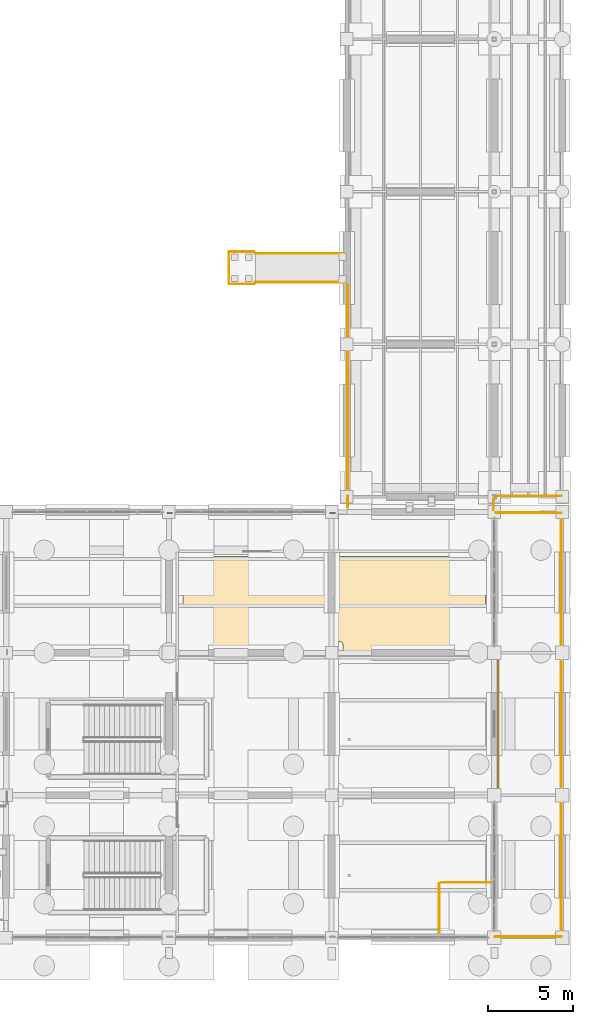
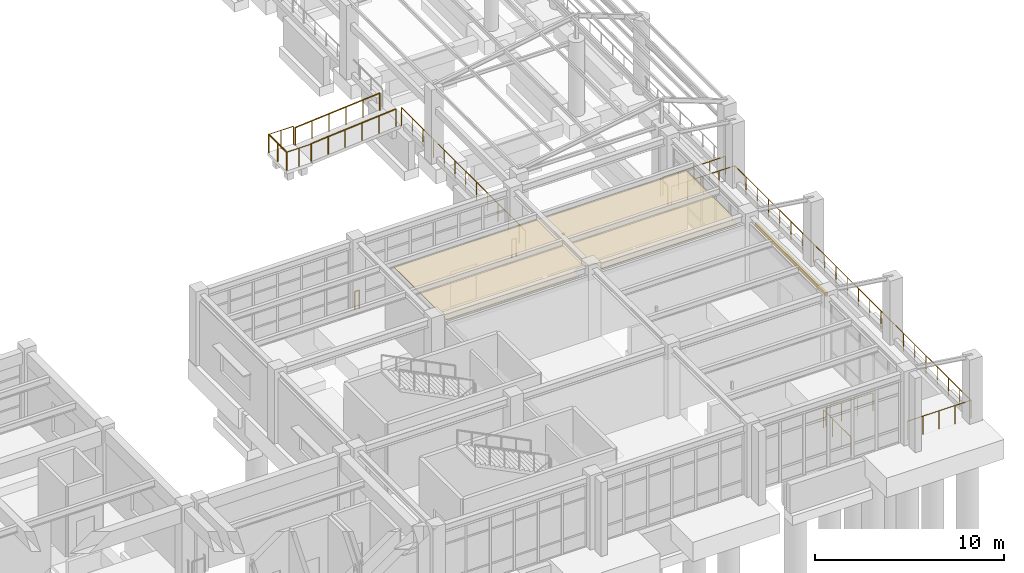
# One storey, part 108 of 111: 16 railings, 2 coverings.
"""IFC4 building model written with IfcOpenShell, lengths in metres."""

from ifc_helpers import new_model, si_unit, direction, frame, origin, origin_2d, place, context, subcontext, project, spatial, polyline, rectangle, circle, outline, extrude, material, layer, layer_set, type_object, element, save


model = new_model("IFC4")

# Units and contexts
model_context = context("Model", 3, precision=1e-05, world=origin(), true_north=direction((0.0, 1.0)))
body_context = subcontext(model_context, "Body", "Model", "MODEL_VIEW")
ifc_project = project(units=[si_unit("LENGTHUNIT", "METRE"), si_unit("AREAUNIT", "SQUARE_METRE"), si_unit("VOLUMEUNIT", "CUBIC_METRE"), si_unit("PLANEANGLEUNIT", "RADIAN"), si_unit("MASSUNIT", "GRAM", prefix="KILO")], contexts=[model_context])

# Site, building, storey
site_placement = place(None, origin())
site = spatial("IfcSite", under=ifc_project, at=site_placement, CompositionType="ELEMENT")
building_placement = place(site_placement, origin())
building = spatial("IfcBuilding", under=site, at=building_placement, Name="Canglan Escarpment Cableway Terminal", CompositionType="ELEMENT")
storey_placement = place(building_placement, frame((0.0, 0.0, 4.800048828125)))
storey = spatial("IfcBuildingStorey", under=building, at=storey_placement, Name="L01", CompositionType="ELEMENT", Elevation=4.800048828125)

# Coverings
ifc_material_1 = material(Name="Micro-perforated acoustic aluminium ceiling", Category="aluminium")
ifc_layer_1 = layer(ifc_material_1, 0.0400390625, Name="Micro-perforated acoustic aluminium ceiling")
ifc_layer_set_1 = layer_set([ifc_layer_1], Name="Micro-perforated acoustic aluminium ceiling")
covering_type_1 = type_object("IfcCoveringType", Name="COV-CEIL-ACOUSTIC-40", PredefinedType="CEILING", material=ifc_layer_set_1)
covering_1_placement = place(storey_placement, frame((0.0, 0.0, 3.971923828125)))
element("IfcCovering", 1, at=covering_1_placement, inside=storey, type_object=covering_type_1, Name="Ceremonial Greeting Hall suspended acoustic ceiling", PredefinedType="CEILING", context=body_context, shape_type="SweptSolid", body=[
    extrude(outline(polyline([(157.6201171875, 30.4599609375), (157.6201171875, 30.4619140625), (157.620361328125, 30.4638671875), (157.620849609375, 30.4658203125), (157.62158203125, 30.4677734375), (157.622314453125, 30.469482421875), (157.623291015625, 30.47119140625), (157.62451171875, 30.47265625), (157.6259765625, 30.47412109375), (157.627197265625, 30.4755859375), (157.62890625, 30.4765625), (157.630615234375, 30.4775390625), (157.63232421875, 30.478515625), (157.63427734375, 30.47900390625), (157.635986328125, 30.4794921875), (157.637939453125, 30.47998046875), (157.639892578125, 30.47998046875), (175.4599609375, 30.47998046875), (175.4619140625, 30.47998046875), (175.4638671875, 30.4794921875), (175.4658203125, 30.47900390625), (175.4677734375, 30.478515625), (175.469482421875, 30.4775390625), (175.47119140625, 30.4765625), (175.47265625, 30.4755859375), (175.47412109375, 30.47412109375), (175.4755859375, 30.47265625), (175.4765625, 30.47119140625), (175.4775390625, 30.469482421875), (175.478515625, 30.4677734375), (175.47900390625, 30.4658203125), (175.4794921875, 30.4638671875), (175.47998046875, 30.4619140625), (175.47998046875, 30.4599609375), (175.47998046875, 25.486083984375), (175.47998046875, 25.484130859375), (175.4794921875, 25.482177734375), (175.479248046875, 25.48046875), (175.478515625, 25.478515625), (175.477783203125, 25.476806640625), (175.476806640625, 25.475341796875), (175.475830078125, 25.4736328125), (175.474609375, 25.472412109375), (175.47314453125, 25.470947265625), (175.4716796875, 25.4697265625), (175.47021484375, 25.46875), (175.468505859375, 25.468017578125), (175.466796875, 25.46728515625), (175.456298828125, 25.46337890625), (175.455322265625, 25.462890625), (175.436767578125, 25.4541015625), (175.435791015625, 25.453857421875), (175.418212890625, 25.443115234375), (175.41748046875, 25.442626953125), (175.40087890625, 25.430419921875), (175.400146484375, 25.4296875), (175.384765625, 25.416015625), (175.384033203125, 25.415283203125), (175.370361328125, 25.39990234375), (175.36962890625, 25.399169921875), (175.357421875, 25.382568359375), (175.356689453125, 25.3818359375), (175.34619140625, 25.364013671875), (175.345703125, 25.36328125), (175.3369140625, 25.344482421875), (175.336669921875, 25.34375), (175.32958984375, 25.32421875), (175.329345703125, 25.323486328125), (175.32421875, 25.303466796875), (175.32421875, 25.302490234375), (175.321044921875, 25.281982421875), (175.321044921875, 25.281005859375), (175.320068359375, 25.26025390625), (175.320068359375, 25.259765625), (175.320068359375, 24.840087890625), (175.31982421875, 24.837890625), (175.319580078125, 24.836181640625), (175.319091796875, 24.834228515625), (175.318603515625, 24.832275390625), (175.317626953125, 24.83056640625), (175.316650390625, 24.828857421875), (175.3154296875, 24.827392578125), (175.314208984375, 24.825927734375), (175.312744140625, 24.824462890625), (175.31103515625, 24.823486328125), (175.309326171875, 24.822509765625), (175.3076171875, 24.821533203125), (175.305908203125, 24.82080078125), (175.303955078125, 24.8203125), (175.302001953125, 24.820068359375), (175.300048828125, 24.820068359375), (167.10009765625, 24.820068359375), (167.097900390625, 24.820068359375), (167.09619140625, 24.8203125), (167.09423828125, 24.82080078125), (167.09228515625, 24.821533203125), (167.090576171875, 24.822509765625), (167.0888671875, 24.823486328125), (167.08740234375, 24.824462890625), (167.0859375, 24.825927734375), (167.08447265625, 24.827392578125), (167.08349609375, 24.828857421875), (167.08251953125, 24.83056640625), (167.08154296875, 24.832275390625), (167.080810546875, 24.834228515625), (167.080322265625, 24.836181640625), (167.080078125, 24.837890625), (167.080078125, 24.840087890625), (167.080078125, 25.259765625), (167.080078125, 25.26025390625), (167.0791015625, 25.281005859375), (167.078857421875, 25.281982421875), (167.07568359375, 25.302490234375), (167.07568359375, 25.303466796875), (167.070556640625, 25.323486328125), (167.0703125, 25.32421875), (167.0634765625, 25.34375), (167.06298828125, 25.344482421875), (167.05419921875, 25.36328125), (167.0537109375, 25.364013671875), (167.043212890625, 25.3818359375), (167.04248046875, 25.382568359375), (167.030517578125, 25.399169921875), (167.02978515625, 25.39990234375), (167.015869140625, 25.415283203125), (167.01513671875, 25.416015625), (167.0, 25.4296875), (166.999267578125, 25.430419921875), (166.982666015625, 25.442626953125), (166.981689453125, 25.443115234375), (166.964111328125, 25.453857421875), (166.96337890625, 25.4541015625), (166.944580078125, 25.462890625), (166.943603515625, 25.46337890625), (166.92431640625, 25.470458984375), (166.92333984375, 25.470703125), (166.9033203125, 25.4755859375), (166.90234375, 25.475830078125), (166.882080078125, 25.47900390625), (166.881103515625, 25.47900390625), (166.860107421875, 25.47998046875), (166.85986328125, 25.47998046875), (165.940185546875, 25.47998046875), (165.939697265625, 25.47998046875), (165.9189453125, 25.47900390625), (165.91796875, 25.47900390625), (165.897705078125, 25.475830078125), (165.896484375, 25.4755859375), (165.876708984375, 25.470703125), (165.875732421875, 25.470458984375), (165.856201171875, 25.46337890625), (165.85546875, 25.462890625), (165.836669921875, 25.4541015625), (165.8359375, 25.453857421875), (165.818115234375, 25.443115234375), (165.8173828125, 25.442626953125), (165.80078125, 25.430419921875), (165.800048828125, 25.4296875), (165.784912109375, 25.416015625), (165.7841796875, 25.415283203125), (165.770263671875, 25.39990234375), (165.76953125, 25.399169921875), (165.75732421875, 25.382568359375), (165.7568359375, 25.3818359375), (165.74609375, 25.364013671875), (165.745849609375, 25.36328125), (165.737060546875, 25.344482421875), (165.736572265625, 25.34375), (165.7294921875, 25.32421875), (165.7294921875, 25.323486328125), (165.724365234375, 25.303466796875), (165.72412109375, 25.302490234375), (165.72119140625, 25.281982421875), (165.720947265625, 25.281005859375), (165.719970703125, 25.26025390625), (165.719970703125, 25.259765625), (165.719970703125, 24.840087890625), (165.719970703125, 24.837890625), (165.719482421875, 24.836181640625), (165.718994140625, 24.834228515625), (165.718505859375, 24.832275390625), (165.717529296875, 24.83056640625), (165.716552734375, 24.828857421875), (165.715576171875, 24.827392578125), (165.714111328125, 24.825927734375), (165.712646484375, 24.824462890625), (165.711181640625, 24.823486328125), (165.70947265625, 24.822509765625), (165.707763671875, 24.821533203125), (165.705810546875, 24.82080078125), (165.703857421875, 24.8203125), (165.701904296875, 24.820068359375), (165.699951171875, 24.820068359375), (157.639892578125, 24.820068359375), (157.637939453125, 24.820068359375), (157.635986328125, 24.8203125), (157.63427734375, 24.82080078125), (157.63232421875, 24.821533203125), (157.630615234375, 24.822509765625), (157.62890625, 24.823486328125), (157.627197265625, 24.824462890625), (157.6259765625, 24.825927734375), (157.62451171875, 24.827392578125), (157.623291015625, 24.828857421875), (157.622314453125, 24.83056640625), (157.62158203125, 24.832275390625), (157.620849609375, 24.834228515625), (157.620361328125, 24.836181640625), (157.6201171875, 24.837890625), (157.6201171875, 24.840087890625), (157.6201171875, 30.4599609375)])), origin(), (0.0, 0.0, 1.0), 0.0400390625),
])
ifc_material_2 = material(Name="Carved classical limestone cornice", Category="masonry")
ifc_layer_2 = layer(ifc_material_2, 0.1201171875, Name="Carved classical limestone cornice")
ifc_layer_set_2 = layer_set([ifc_layer_2], Name="Carved classical limestone cornice")
covering_type_2 = type_object("IfcCoveringType", Name="COV-CORNICE-STONE", PredefinedType="CLADDING", material=ifc_layer_set_2)
covering_2_placement = place(storey_placement, frame((176.219970703125, 20.60009765625, 3.85498046875), z_axis=(0.0, 0.0, 1.0), x_axis=(0.0, 1.0, 0.0)))
element("IfcCovering", 2, at=covering_2_placement, inside=storey, type_object=covering_type_2, Name="Classical carved limestone cornice CL-01", PredefinedType="CLADDING", context=body_context, shape_type="SweptSolid", body=[
    extrude(rectangle(XDim=7.5, YDim=0.1201171875, at=origin_2d()), origin(), (0.0, 0.0, 1.0), 0.239990234375),
])

# Railings
ifc_material_3 = material(Name="Carved limestone and anodized bronze balustrade", Category="masonry")
railing_type_1 = type_object("IfcRailingType", Name="RL-EXT-BALUSTRADE-1200", PredefinedType="BALUSTRADE", material=ifc_material_3)
railing_1_placement = place(storey_placement, frame((160.35009765625, 46.550048828125, -0.449951171875)))
element("IfcRailing", 3, at=railing_1_placement, inside=storey, type_object=railing_type_1, Name="Accessible Cloister Colonnade Ramp 4 landing guard 1", PredefinedType="BALUSTRADE", context=body_context, shape_type="SweptSolid", body=[
    extrude(circle(Radius=0.02392578125, at=origin_2d()), frame((0.0, 0.0, 1.17578125), z_axis=(1.0, 0.0, 0.0), x_axis=(0.0, 1.0, 0.0)), (0.0, 0.0, 1.0), 1.5),
    extrude(circle(Radius=0.02099609375, at=origin_2d()), origin(), (0.0, 0.0, 1.0), 1.15185546875),
    extrude(circle(Radius=0.02099609375, at=origin_2d()), frame((0.75, 0.0, 0.0)), (0.0, 0.0, 1.0), 1.15185546875),
    extrude(circle(Radius=0.02099609375, at=origin_2d()), frame((1.5, 0.0, 0.0)), (0.0, 0.0, 1.0), 1.15185546875),
])
railing_2_placement = place(storey_placement, frame((161.85009765625, 48.449951171875, -0.449951171875)))
element("IfcRailing", 4, at=railing_2_placement, inside=storey, type_object=railing_type_1, Name="Accessible Cloister Colonnade Ramp 4 landing guard 3", PredefinedType="BALUSTRADE", context=body_context, shape_type="SweptSolid", body=[
    extrude(circle(Radius=0.02392578125, at=origin_2d()), frame((0.0, 0.0, 1.17578125), z_axis=(-1.0, 0.0, 0.0), x_axis=(0.0, -1.0, 0.0)), (0.0, 0.0, 1.0), 1.5),
    extrude(circle(Radius=0.02099609375, at=origin_2d()), origin(), (0.0, 0.0, 1.0), 1.15185546875),
    extrude(circle(Radius=0.02099609375, at=origin_2d()), frame((-0.75, 0.0, 0.0)), (0.0, 0.0, 1.0), 1.15185546875),
    extrude(circle(Radius=0.02099609375, at=origin_2d()), frame((-1.5, 0.0, 0.0)), (0.0, 0.0, 1.0), 1.15185546875),
])
railing_3_placement = place(storey_placement, frame((160.35009765625, 48.449951171875, -0.449951171875)))
element("IfcRailing", 5, at=railing_3_placement, inside=storey, type_object=railing_type_1, Name="Accessible Cloister Colonnade Ramp 4 landing guard 4", PredefinedType="BALUSTRADE", context=body_context, shape_type="SweptSolid", body=[
    extrude(circle(Radius=0.02392578125, at=origin_2d()), frame((0.0, 0.0, 1.17578125), z_axis=(0.0, -1.0, 0.0), x_axis=(1.0, 0.0, 0.0)), (0.0, 0.0, 1.0), 1.89990234375),
    extrude(circle(Radius=0.02099609375, at=origin_2d()), origin(), (0.0, 0.0, 1.0), 1.15185546875),
    extrude(circle(Radius=0.02099609375, at=origin_2d()), frame((0.0, -0.949951171875, 0.0)), (0.0, 0.0, 1.0), 1.15185546875),
    extrude(circle(Radius=0.02099609375, at=origin_2d()), frame((0.0, -1.89990234375, 0.0)), (0.0, 0.0, 1.0), 1.15185546875),
])
for number, where, name in (
    (6, (156.715087890625, 33.050048828125, 0.0), "Classical terrace balustrade guard GD-01 (L01)"),
    (7, (166.31494140625, 33.050048828125, 0.0), "Classical terrace balustrade guard GD-01 (L01)"),
):
    element("IfcRailing", number, at=place(storey_placement, frame(where)), inside=storey, type_object=railing_type_1, Name=name, PredefinedType="BALUSTRADE", context=body_context, shape_type="SweptSolid", body=[
        extrude(circle(Radius=0.02392578125, at=origin_2d()), frame((0.0, 0.0, 1.17578125), z_axis=(1.0, 0.0, 0.0), x_axis=(0.0, 1.0, 0.0)), (0.0, 0.0, 1.0), 0.27001953125),
        extrude(circle(Radius=0.02099609375, at=origin_2d()), origin(), (0.0, 0.0, 1.0), 1.15185546875),
        extrude(circle(Radius=0.02099609375, at=origin_2d()), frame((0.27001953125, 0.0, 0.0)), (0.0, 0.0, 1.0), 1.15185546875),
    ])
railing_4_placement = place(storey_placement, frame((167.35009765625, 33.389892578125, 0.0)))
element("IfcRailing", 8, at=railing_4_placement, inside=storey, type_object=railing_type_1, Name="Classical terrace balustrade guard GD-01 (L01)", PredefinedType="BALUSTRADE", context=body_context, shape_type="SweptSolid", body=[
    extrude(circle(Radius=0.02392578125, at=origin_2d()), frame((0.0, 0.0, 1.17578125), z_axis=(0.0, 1.0, 0.0), x_axis=(-1.0, 0.0, 0.0)), (0.0, 0.0, 1.0), 0.653076171875),
    extrude(circle(Radius=0.02099609375, at=origin_2d()), origin(), (0.0, 0.0, 1.0), 1.15185546875),
    extrude(circle(Radius=0.02099609375, at=origin_2d()), frame((0.0, 0.653076171875, 0.0)), (0.0, 0.0, 1.0), 1.15185546875),
])
railing_5_placement = place(storey_placement, frame((167.35009765625, 34.04296875, 0.0)))
element("IfcRailing", 9, at=railing_5_placement, inside=storey, type_object=railing_type_1, Name="Classical terrace balustrade guard GD-01 (L01)", PredefinedType="BALUSTRADE", context=body_context, shape_type="SweptSolid", body=[
    extrude(circle(Radius=0.02392578125, at=origin_2d()), frame((0.0, 0.0, 1.17578125), z_axis=(0.0, 1.0, 0.0), x_axis=(-1.0, 0.0, 0.0)), (0.0, 0.0, 1.0), 12.487060546875),
    extrude(circle(Radius=0.02099609375, at=origin_2d()), origin(), (0.0, 0.0, 1.0), 1.15185546875),
    extrude(circle(Radius=0.02099609375, at=origin_2d()), frame((0.0, 1.13525390625, 0.0)), (0.0, 0.0, 1.0), 1.15185546875),
    extrude(circle(Radius=0.02099609375, at=origin_2d()), frame((0.0, 2.270263671875, 0.0)), (0.0, 0.0, 1.0), 1.15185546875),
    extrude(circle(Radius=0.02099609375, at=origin_2d()), frame((0.0, 3.405517578125, 0.0)), (0.0, 0.0, 1.0), 1.15185546875),
    extrude(circle(Radius=0.02099609375, at=origin_2d()), frame((0.0, 4.540771484375, 0.0)), (0.0, 0.0, 1.0), 1.15185546875),
    extrude(circle(Radius=0.02099609375, at=origin_2d()), frame((0.0, 5.676025390625, 0.0)), (0.0, 0.0, 1.0), 1.15185546875),
    extrude(circle(Radius=0.02099609375, at=origin_2d()), frame((0.0, 6.81103515625, 0.0)), (0.0, 0.0, 1.0), 1.15185546875),
    extrude(circle(Radius=0.02099609375, at=origin_2d()), frame((0.0, 7.9462890625, 0.0)), (0.0, 0.0, 1.0), 1.15185546875),
    extrude(circle(Radius=0.02099609375, at=origin_2d()), frame((0.0, 9.08154296875, 0.0)), (0.0, 0.0, 1.0), 1.15185546875),
    extrude(circle(Radius=0.02099609375, at=origin_2d()), frame((0.0, 10.216796875, 0.0)), (0.0, 0.0, 1.0), 1.15185546875),
    extrude(circle(Radius=0.02099609375, at=origin_2d()), frame((0.0, 11.351806640625, 0.0)), (0.0, 0.0, 1.0), 1.15185546875),
    extrude(circle(Radius=0.02099609375, at=origin_2d()), frame((0.0, 12.487060546875, 0.0)), (0.0, 0.0, 1.0), 1.15185546875),
])
railing_6_placement = place(storey_placement, frame((179.949951171875, 34.052001953125, 0.0)))
element("IfcRailing", 10, at=railing_6_placement, inside=storey, type_object=railing_type_1, Name="Classical terrace balustrade guard GD-01 (L01)", PredefinedType="BALUSTRADE", context=body_context, shape_type="SweptSolid", body=[
    extrude(circle(Radius=0.02392578125, at=origin_2d()), frame((0.0, 0.0, 1.17578125), z_axis=(-0.999999869296, -0.000511280051, 0.0), x_axis=(0.000511280051, -0.999999869296, 0.0)), (0.0, 0.0, 1.0), 3.820068359375),
    extrude(circle(Radius=0.02099609375, at=origin_2d()), origin(), (0.0, 0.0, 1.0), 1.15185546875),
    extrude(circle(Radius=0.02099609375, at=origin_2d()), frame((-0.955078125, -0.00048828125, 0.0)), (0.0, 0.0, 1.0), 1.15185546875),
    extrude(circle(Radius=0.02099609375, at=origin_2d()), frame((-1.91015625, -0.0009765625, 0.0)), (0.0, 0.0, 1.0), 1.15185546875),
    extrude(circle(Radius=0.02099609375, at=origin_2d()), frame((-2.864990234375, -0.00146484375, 0.0)), (0.0, 0.0, 1.0), 1.15185546875),
    extrude(circle(Radius=0.02099609375, at=origin_2d()), frame((-3.820068359375, -0.001953125, 0.0)), (0.0, 0.0, 1.0), 1.15185546875),
])
railing_7_placement = place(storey_placement, frame((175.9560546875, 34.00048828125, 0.0)))
element("IfcRailing", 11, at=railing_7_placement, inside=storey, type_object=railing_type_1, Name="Classical terrace balustrade guard GD-01 (L01)", PredefinedType="BALUSTRADE", context=body_context, shape_type="SweptSolid", body=[
    extrude(circle(Radius=0.02392578125, at=origin_2d()), frame((0.0, 0.0, 1.17578125), z_axis=(-0.007921171, -0.999968627033, 0.0), x_axis=(0.999968627033, -0.007921171, 0.0)), (0.0, 0.0, 1.0), 0.7705078125),
    extrude(circle(Radius=0.02099609375, at=origin_2d()), origin(), (0.0, 0.0, 1.0), 1.15185546875),
    extrude(circle(Radius=0.02099609375, at=origin_2d()), frame((-0.006103515625, -0.7705078125, 0.0)), (0.0, 0.0, 1.0), 1.15185546875),
])
railing_8_placement = place(storey_placement, frame((176.099365234375, 33.05615234375, 0.0)))
element("IfcRailing", 12, at=railing_8_placement, inside=storey, type_object=railing_type_1, Name="Classical terrace balustrade guard GD-01 (L01)", PredefinedType="BALUSTRADE", context=body_context, shape_type="SweptSolid", body=[
    extrude(circle(Radius=0.02392578125, at=origin_2d()), frame((0.0, 0.0, 1.17578125), z_axis=(0.999998742476, -0.001585889911, 0.0), x_axis=(0.001585889911, 0.999998742476, 0.0)), (0.0, 0.0, 1.0), 3.8486328125),
    extrude(circle(Radius=0.02099609375, at=origin_2d()), origin(), (0.0, 0.0, 1.0), 1.15185546875),
    extrude(circle(Radius=0.02099609375, at=origin_2d()), frame((0.962158203125, -0.00146484375, 0.0)), (0.0, 0.0, 1.0), 1.15185546875),
    extrude(circle(Radius=0.02099609375, at=origin_2d()), frame((1.92431640625, -0.0029296875, 0.0)), (0.0, 0.0, 1.0), 1.15185546875),
    extrude(circle(Radius=0.02099609375, at=origin_2d()), frame((2.886474609375, -0.004638671875, 0.0)), (0.0, 0.0, 1.0), 1.15185546875),
    extrude(circle(Radius=0.02099609375, at=origin_2d()), frame((3.8486328125, -0.006103515625, 0.0)), (0.0, 0.0, 1.0), 1.15185546875),
])
railing_9_placement = place(storey_placement, frame((179.947998046875, 33.050048828125, 0.0)))
element("IfcRailing", 13, at=railing_9_placement, inside=storey, type_object=railing_type_1, Name="Classical terrace balustrade guard GD-01 (L01)", PredefinedType="BALUSTRADE", context=body_context, shape_type="SweptSolid", body=[
    extrude(circle(Radius=0.02392578125, at=origin_2d()), frame((0.0, 0.0, 1.17578125), z_axis=(7.8131104e-05, -0.999999996948, 0.0), x_axis=(0.999999996948, 7.8131104e-05, 0.0)), (0.0, 0.0, 1.0), 24.998046875),
    extrude(circle(Radius=0.02099609375, at=origin_2d()), origin(), (0.0, 0.0, 1.0), 1.15185546875),
    extrude(circle(Radius=0.02099609375, at=origin_2d()), frame((0.0, -1.1904296875, 0.0)), (0.0, 0.0, 1.0), 1.15185546875),
    extrude(circle(Radius=0.02099609375, at=origin_2d()), frame((0.000244140625, -2.380859375, 0.0)), (0.0, 0.0, 1.0), 1.15185546875),
    extrude(circle(Radius=0.02099609375, at=origin_2d()), frame((0.000244140625, -3.571044921875, 0.0)), (0.0, 0.0, 1.0), 1.15185546875),
    extrude(circle(Radius=0.02099609375, at=origin_2d()), frame((0.00048828125, -4.761474609375, 0.0)), (0.0, 0.0, 1.0), 1.15185546875),
    extrude(circle(Radius=0.02099609375, at=origin_2d()), frame((0.00048828125, -5.951904296875, 0.0)), (0.0, 0.0, 1.0), 1.15185546875),
    extrude(circle(Radius=0.02099609375, at=origin_2d()), frame((0.00048828125, -7.142333984375, 0.0)), (0.0, 0.0, 1.0), 1.15185546875),
    extrude(circle(Radius=0.02099609375, at=origin_2d()), frame((0.000732421875, -8.332763671875, 0.0)), (0.0, 0.0, 1.0), 1.15185546875),
    extrude(circle(Radius=0.02099609375, at=origin_2d()), frame((0.000732421875, -9.52294921875, 0.0)), (0.0, 0.0, 1.0), 1.15185546875),
    extrude(circle(Radius=0.02099609375, at=origin_2d()), frame((0.000732421875, -10.71337890625, 0.0)), (0.0, 0.0, 1.0), 1.15185546875),
    extrude(circle(Radius=0.02099609375, at=origin_2d()), frame((0.0009765625, -11.90380859375, 0.0)), (0.0, 0.0, 1.0), 1.15185546875),
    extrude(circle(Radius=0.02099609375, at=origin_2d()), frame((0.0009765625, -13.09423828125, 0.0)), (0.0, 0.0, 1.0), 1.15185546875),
    extrude(circle(Radius=0.02099609375, at=origin_2d()), frame((0.001220703125, -14.28466796875, 0.0)), (0.0, 0.0, 1.0), 1.15185546875),
    extrude(circle(Radius=0.02099609375, at=origin_2d()), frame((0.001220703125, -15.47509765625, 0.0)), (0.0, 0.0, 1.0), 1.15185546875),
    extrude(circle(Radius=0.02099609375, at=origin_2d()), frame((0.001220703125, -16.665283203125, 0.0)), (0.0, 0.0, 1.0), 1.15185546875),
    extrude(circle(Radius=0.02099609375, at=origin_2d()), frame((0.00146484375, -17.855712890625, 0.0)), (0.0, 0.0, 1.0), 1.15185546875),
    extrude(circle(Radius=0.02099609375, at=origin_2d()), frame((0.00146484375, -19.046142578125, 0.0)), (0.0, 0.0, 1.0), 1.15185546875),
    extrude(circle(Radius=0.02099609375, at=origin_2d()), frame((0.00146484375, -20.236572265625, 0.0)), (0.0, 0.0, 1.0), 1.15185546875),
    extrude(circle(Radius=0.02099609375, at=origin_2d()), frame((0.001708984375, -21.427001953125, 0.0)), (0.0, 0.0, 1.0), 1.15185546875),
    extrude(circle(Radius=0.02099609375, at=origin_2d()), frame((0.001708984375, -22.6171875, 0.0)), (0.0, 0.0, 1.0), 1.15185546875),
    extrude(circle(Radius=0.02099609375, at=origin_2d()), frame((0.001953125, -23.8076171875, 0.0)), (0.0, 0.0, 1.0), 1.15185546875),
    extrude(circle(Radius=0.02099609375, at=origin_2d()), frame((0.001953125, -24.998046875, 0.0)), (0.0, 0.0, 1.0), 1.15185546875),
])
railing_10_placement = place(storey_placement, frame((179.949951171875, 8.052001953125, 0.0)))
element("IfcRailing", 14, at=railing_10_placement, inside=storey, type_object=railing_type_1, Name="Classical terrace balustrade guard GD-01 (L01)", PredefinedType="BALUSTRADE", context=body_context, shape_type="SweptSolid", body=[
    extrude(circle(Radius=0.02392578125, at=origin_2d()), frame((0.0, 0.0, 1.17578125), z_axis=(-0.999999874467, -0.0005010647, 0.0), x_axis=(0.0005010647, -0.999999874467, 0.0)), (0.0, 0.0, 1.0), 3.89794921875),
    extrude(circle(Radius=0.02099609375, at=origin_2d()), origin(), (0.0, 0.0, 1.0), 1.15185546875),
    extrude(circle(Radius=0.02099609375, at=origin_2d()), frame((-0.974609375, -0.00048828125, 0.0)), (0.0, 0.0, 1.0), 1.15185546875),
    extrude(circle(Radius=0.02099609375, at=origin_2d()), frame((-1.948974609375, -0.0009765625, 0.0)), (0.0, 0.0, 1.0), 1.15185546875),
    extrude(circle(Radius=0.02099609375, at=origin_2d()), frame((-2.92333984375, -0.00146484375, 0.0)), (0.0, 0.0, 1.0), 1.15185546875),
    extrude(circle(Radius=0.02099609375, at=origin_2d()), frame((-3.89794921875, -0.001953125, 0.0)), (0.0, 0.0, 1.0), 1.15185546875),
])
railing_11_placement = place(storey_placement, frame((175.81005859375, 11.25, 0.0)))
element("IfcRailing", 15, at=railing_11_placement, inside=storey, type_object=railing_type_1, Name="Classical terrace balustrade guard GD-01 (L01)", PredefinedType="BALUSTRADE", context=body_context, shape_type="SweptSolid", body=[
    extrude(circle(Radius=0.02392578125, at=origin_2d()), frame((0.0, 0.0, 1.17578125), z_axis=(-1.0, 0.0, 0.0), x_axis=(0.0, -1.0, 0.0)), (0.0, 0.0, 1.0), 2.880126953125),
    extrude(circle(Radius=0.02099609375, at=origin_2d()), origin(), (0.0, 0.0, 1.0), 1.15185546875),
    extrude(circle(Radius=0.02099609375, at=origin_2d()), frame((-0.9599609375, 0.0, 0.0)), (0.0, 0.0, 1.0), 1.15185546875),
    extrude(circle(Radius=0.02099609375, at=origin_2d()), frame((-1.920166015625, 0.0, 0.0)), (0.0, 0.0, 1.0), 1.15185546875),
    extrude(circle(Radius=0.02099609375, at=origin_2d()), frame((-2.880126953125, 0.0, 0.0)), (0.0, 0.0, 1.0), 1.15185546875),
])
railing_12_placement = place(storey_placement, frame((172.756103515625, 11.20068359375, 0.0)))
element("IfcRailing", 16, at=railing_12_placement, inside=storey, type_object=railing_type_1, Name="Classical terrace balustrade guard GD-01 (L01)", PredefinedType="BALUSTRADE", context=body_context, shape_type="SweptSolid", body=[
    extrude(circle(Radius=0.02392578125, at=origin_2d()), frame((0.0, 0.0, 1.17578125), z_axis=(-0.002096958986, -0.999997801379, 0.0), x_axis=(0.999997801379, -0.002096958986, 0.0)), (0.0, 0.0, 1.0), 2.91064453125),
    extrude(circle(Radius=0.02099609375, at=origin_2d()), origin(), (0.0, 0.0, 1.0), 1.15185546875),
    extrude(circle(Radius=0.02099609375, at=origin_2d()), frame((-0.001953125, -0.97021484375, 0.0)), (0.0, 0.0, 1.0), 1.15185546875),
    extrude(circle(Radius=0.02099609375, at=origin_2d()), frame((-0.004150390625, -1.9404296875, 0.0)), (0.0, 0.0, 1.0), 1.15185546875),
    extrude(circle(Radius=0.02099609375, at=origin_2d()), frame((-0.006103515625, -2.91064453125, 0.0)), (0.0, 0.0, 1.0), 1.15185546875),
])
ifc_material_4 = material(Name="Brushed stainless steel 316 handrail", Category="steel")
railing_type_2 = type_object("IfcRailingType", Name="RL-EXT-HANDRAIL-1150", PredefinedType="HANDRAIL", material=ifc_material_4)
for number, where, name in (
    (17, (161.89990234375, 46.64990234375, -0.449951171875), "Accessible Cloister Colonnade Ramp 4 guard-handrail 1"),
    (18, (161.89990234375, 48.35009765625, -0.449951171875), "Accessible Cloister Colonnade Ramp 4 guard-handrail 2"),
):
    element("IfcRailing", number, at=place(storey_placement, frame(where)), inside=storey, type_object=railing_type_2, Name=name, PredefinedType="HANDRAIL", context=body_context, shape_type="SweptSolid", body=[
        extrude(circle(Radius=0.02392578125, at=origin_2d()), frame((0.0, 0.0, 1.1259765625), z_axis=(0.996585164034, 0.0, 0.082571246978), x_axis=(0.0, 1.0, 0.0)), (0.0, 0.0, 1.0), 5.197998046875),
        extrude(circle(Radius=0.02099609375, at=origin_2d()), origin(), (0.0, 0.0, 1.0), 1.101806640625),
        extrude(circle(Radius=0.02099609375, at=origin_2d()), frame((1.0361328125, 0.0, 0.0859375)), (0.0, 0.0, 1.0), 1.101806640625),
        extrude(circle(Radius=0.02099609375, at=origin_2d()), frame((2.072021484375, 0.0, 0.171630859375)), (0.0, 0.0, 1.0), 1.101806640625),
        extrude(circle(Radius=0.02099609375, at=origin_2d()), frame((3.108154296875, 0.0, 0.257568359375)), (0.0, 0.0, 1.0), 1.101806640625),
        extrude(circle(Radius=0.02099609375, at=origin_2d()), frame((4.14404296875, 0.0, 0.34326171875)), (0.0, 0.0, 1.0), 1.101806640625),
        extrude(circle(Radius=0.02099609375, at=origin_2d()), frame((5.18017578125, 0.0, 0.42919921875)), (0.0, 0.0, 1.0), 1.101806640625),
    ])

save(model, "model.ifc")
